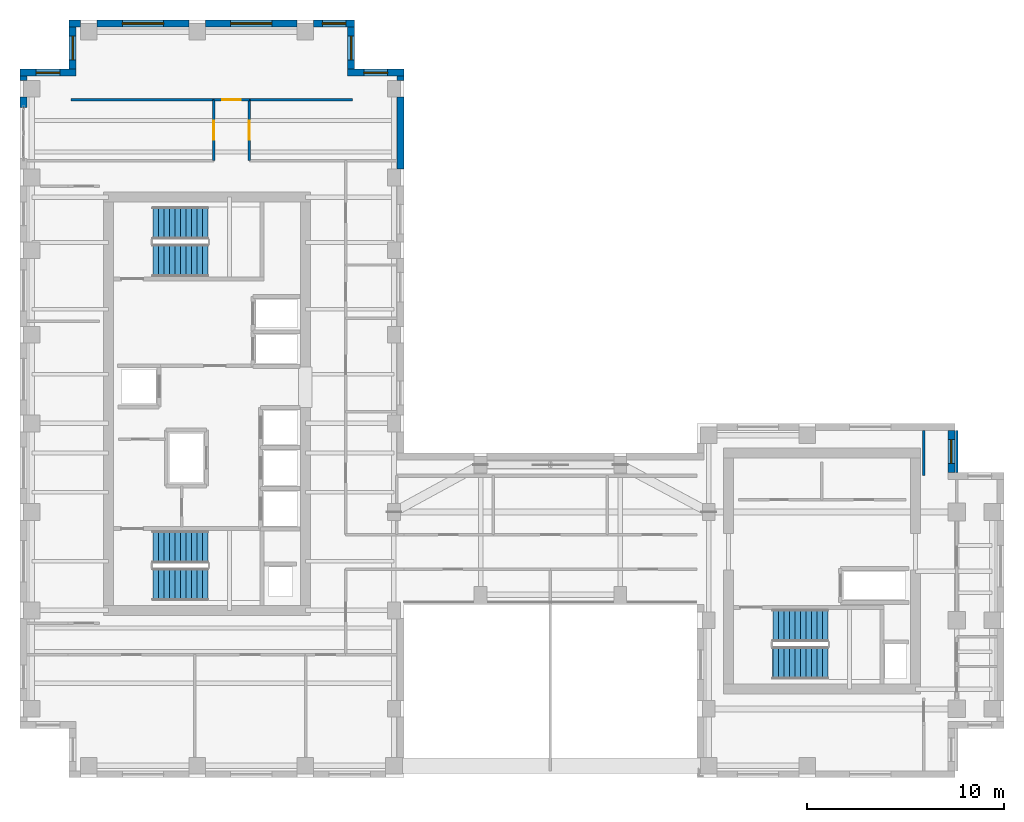
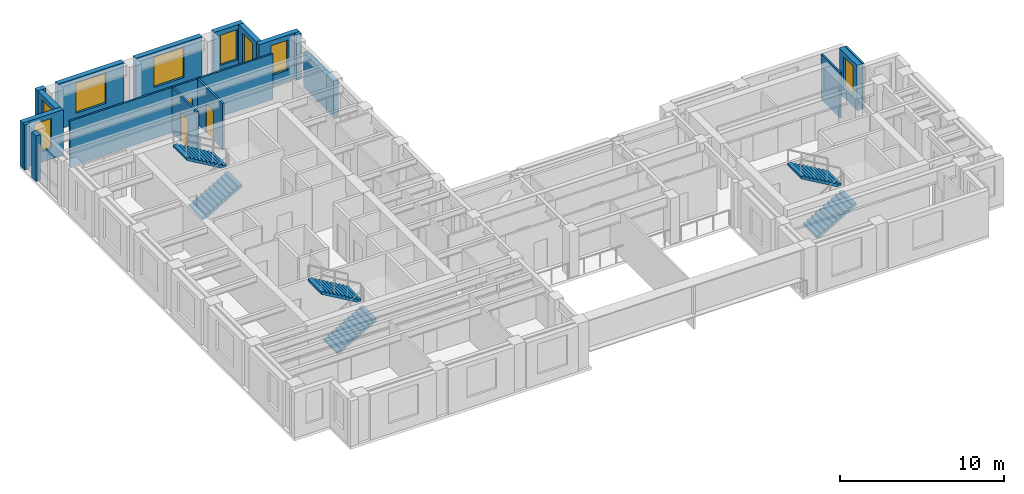
# One storey, part 10 of 12: 20 walls, 8 windows, 6 stair flights, 3 doors, 11 openings, 3 elements without a shape of their own.
"""IFC4 building model written with IfcOpenShell, lengths in metres."""

import ifcopenshell
import ifcopenshell.guid

model = None  # the IFC model being written
_history = None  # IfcOwnerHistory: only IFC2X3 demands one
_inside = {}  # id of a spatial element -> (the spatial element, [elements in it])
_under = {}  # id of a project, library or spatial element -> (it, [spatial elements below it])
_declared = {}  # id of a project -> (the project, [libraries it declares])
_typed = {}  # id of a type object -> (the type object, [elements of that type])
_made_of = {}  # id of a material, layer set ... -> (it, [elements and type objects made of it])


def new_model(schema):
    """Start an empty IFC model of exactly this schema.

    Asked for "IFC4X3", IfcOpenShell would pick the latest addendum, in which some entities
    have other attributes; the version numbers below select the first issue.
    IFC2X3 requires an IfcOwnerHistory on every rooted entity: one is made here for all.
    """
    global model, _history
    if schema == "IFC4X3":
        model = ifcopenshell.file(schema_version=(4, 3, 0, 0))
    else:
        model = ifcopenshell.file(schema=schema)
    _inside.clear()
    _under.clear()
    _declared.clear()
    _typed.clear()
    _made_of.clear()
    _history = None
    if model.schema == "IFC2X3":
        org = make("IfcOrganization", Name="unknown")
        user = make(
            "IfcPersonAndOrganization",
            ThePerson=make("IfcPerson", FamilyName="unknown"),
            TheOrganization=org,
        )
        app = make(
            "IfcApplication",
            ApplicationDeveloper=org,
            Version="unknown",
            ApplicationFullName="unknown",
            ApplicationIdentifier="unknown",
        )
        _history = make(
            "IfcOwnerHistory",
            OwningUser=user,
            OwningApplication=app,
            ChangeAction="ADDED",
            CreationDate=0,
        )
    return model


def make(cls, **values):
    """One entity of the class cls with the attributes given. An attribute that is None is left unset."""
    return model.create_entity(
        cls, **{name: value for name, value in values.items() if value is not None}
    )


def rooted(cls, **values):
    """An entity with a GlobalId (a new one), such as an element, a storey or a relation."""
    return make(cls, GlobalId=ifcopenshell.guid.new(), OwnerHistory=_history, **values)


def si_unit(unit_type, name, prefix=None):
    """IfcSIUnit, for example si_unit("LENGTHUNIT", "METRE", prefix="MILLI")."""
    return make("IfcSIUnit", UnitType=unit_type, Prefix=prefix, Name=name)


def assignment(units):
    """IfcUnitAssignment: the units of a project."""
    return None if units is None else make("IfcUnitAssignment", Units=units)


def point(xyz):
    """IfcCartesianPoint."""
    return None if xyz is None else make("IfcCartesianPoint", Coordinates=xyz)


def direction(xyz):
    """IfcDirection."""
    return None if xyz is None else make("IfcDirection", DirectionRatios=xyz)


def frame(location, z_axis=None, x_axis=None):
    """IfcAxis2Placement3D, a coordinate frame: its origin and axes. An axis left out is left unset."""
    return make(
        "IfcAxis2Placement3D",
        Location=point(location),
        Axis=direction(z_axis),
        RefDirection=direction(x_axis),
    )


def frame_2d(location, x_axis=None):
    """IfcAxis2Placement2D, a coordinate frame in the plane: its origin and x axis."""
    return make(
        "IfcAxis2Placement2D", Location=point(location), RefDirection=direction(x_axis)
    )


def origin():
    """The frame at (0, 0, 0) with its axes left unset."""
    return frame((0.0, 0.0, 0.0))


def place(relative_to, where):
    """IfcLocalPlacement: puts the frame where relative to a parent placement (None: the world)."""
    return make(
        "IfcLocalPlacement", PlacementRelTo=relative_to, RelativePlacement=where
    )


def context(
    kind, dimensions, precision=None, world=None, true_north=None, identifier=None
):
    """IfcGeometricRepresentationContext, for example the 3D "Model" context."""
    return make(
        "IfcGeometricRepresentationContext",
        ContextIdentifier=identifier,
        ContextType=kind,
        CoordinateSpaceDimension=dimensions,
        Precision=precision,
        WorldCoordinateSystem=world,
        TrueNorth=true_north,
    )


def subcontext(parent, identifier, kind, view, scale=None):
    """IfcGeometricRepresentationSubContext, for example "Body" below "Model"."""
    return make(
        "IfcGeometricRepresentationSubContext",
        ContextIdentifier=identifier,
        ContextType=kind,
        ParentContext=parent,
        TargetScale=scale,
        TargetView=view,
    )


def project(units=None, contexts=None):
    """IfcProject with its units and contexts."""
    return rooted(
        "IfcProject",
        Name="project",
        RepresentationContexts=contexts,
        UnitsInContext=assignment(units),
    )


def spatial(cls, under=None, at=None, **own):
    """A site, building, storey or space (cls), placed at a placement, below another one or the project."""
    s = rooted(cls, ObjectPlacement=at, **own)
    if under is not None:
        _under.setdefault(under.id(), (under, []))[1].append(s)
    return s


def polyline(points):
    """IfcPolyline through the points."""
    return make("IfcPolyline", Points=[point(p) for p in points])


def profile(cls, at=None, kind="AREA", **sizes):
    """A parametric profile (cls). Its sizes go by their IFC names, for example OverallWidth=200.0."""
    return make(cls, ProfileType=kind, Position=at, **sizes)


def rectangle(**sizes):
    """IfcRectangleProfileDef."""
    return profile("IfcRectangleProfileDef", **sizes)


def outline(outer, holes=None, kind="AREA"):
    """IfcArbitraryClosedProfileDef: a profile drawn as a closed curve; with holes, ...WithVoids."""
    if holes is None:
        return make("IfcArbitraryClosedProfileDef", ProfileType=kind, OuterCurve=outer)
    return make(
        "IfcArbitraryProfileDefWithVoids",
        ProfileType=kind,
        OuterCurve=outer,
        InnerCurves=holes,
    )


def extrude(swept, where, along, depth):
    """IfcExtrudedAreaSolid: the profile swept, set in the frame where, extruded along a direction by depth."""
    return make(
        "IfcExtrudedAreaSolid",
        SweptArea=swept,
        Position=where,
        ExtrudedDirection=direction(along),
        Depth=depth,
    )


def shape(context_of_items, identifier, shape_type, items):
    """IfcShapeRepresentation: the items that make up one representation, for example the "Body"."""
    return make(
        "IfcShapeRepresentation",
        ContextOfItems=context_of_items,
        RepresentationIdentifier=identifier,
        RepresentationType=shape_type,
        Items=items,
    )


def source(mapping_origin, context_of_items, identifier, shape_type, items):
    """IfcRepresentationMap: a shape defined once, which mapped items show again and again."""
    return make(
        "IfcRepresentationMap",
        MappingOrigin=mapping_origin,
        MappedRepresentation=shape(context_of_items, identifier, shape_type, items),
    )


def transform(
    local_origin,
    x_axis=None,
    y_axis=None,
    z_axis=None,
    scale=None,
    scale2=None,
    scale3=None,
    uniform=True,
):
    """IfcCartesianTransformationOperator3D, or its non-uniform kind. x_axis, y_axis, z_axis: its Axis1, 2, 3."""
    if uniform:
        return make(
            "IfcCartesianTransformationOperator3D",
            Axis1=direction(x_axis),
            Axis2=direction(y_axis),
            LocalOrigin=point(local_origin),
            Scale=scale,
            Axis3=direction(z_axis),
        )
    return make(
        "IfcCartesianTransformationOperator3DnonUniform",
        Axis1=direction(x_axis),
        Axis2=direction(y_axis),
        LocalOrigin=point(local_origin),
        Scale=scale,
        Axis3=direction(z_axis),
        Scale2=scale2,
        Scale3=scale3,
    )


def mapped(mapping_source, mapping_target):
    """IfcMappedItem: shows the shape of a source again, moved by a transform."""
    return make(
        "IfcMappedItem", MappingSource=mapping_source, MappingTarget=mapping_target
    )


def material(Name=None, Category=None):
    """IfcMaterial."""
    return make("IfcMaterial", Name=Name, Category=Category)


def layer(
    of_material, thickness, ventilated=None, Name=None, Category=None, Priority=None
):
    """IfcMaterialLayer: one layer of a wall or slab, of a material (None: an air gap)."""
    return make(
        "IfcMaterialLayer",
        Material=of_material,
        LayerThickness=thickness,
        IsVentilated=ventilated,
        Name=Name,
        Category=Category,
        Priority=Priority,
    )


def layer_set(layers, Name=None):
    """IfcMaterialLayerSet."""
    return make("IfcMaterialLayerSet", MaterialLayers=layers, LayerSetName=Name)


def made_of(thing, what):
    """Note that an element or type object is made of a material, layer set ...; save() writes the relation."""
    if what is not None:
        _made_of.setdefault(what.id(), (what, []))[1].append(thing)
    return thing


def type_object(cls, material=None, **own):
    """A type object (cls), such as IfcWallType, which elements share."""
    return made_of(rooted(cls, **own), material)


def element(
    cls,
    number,
    at=None,
    inside=None,
    cuts=None,
    type_object=None,
    material=None,
    context=None,
    identifier="Body",
    shape_type=None,
    held_by="IfcProductDefinitionShape",
    body=None,
    shapes=None,
    **own,
):
    """One element of the class cls, such as IfcWall. Its Tag is "e" and its number.

    at: its placement. inside: the storey or other place that contains it. cuts: it is an
    opening in that element (IfcRelVoidsElement). A single representation is given by context,
    identifier, shape_type and body (its items); several are given by shapes. held_by: the class
    of the entity that holds the representations. save() writes the other relations.
    """
    e = rooted(cls, Tag="e%d" % number, ObjectPlacement=at, **own)
    if body is not None:
        shapes = [shape(context, identifier, shape_type, body)]
    if shapes is not None:
        e.Representation = make(held_by, Representations=shapes)
    if inside is not None:
        _inside.setdefault(inside.id(), (inside, []))[1].append(e)
    if cuts is not None:
        rooted(
            "IfcRelVoidsElement", RelatingBuildingElement=cuts, RelatedOpeningElement=e
        )
    if type_object is not None:
        _typed.setdefault(type_object.id(), (type_object, []))[1].append(e)
    return made_of(e, material)


def fill(opening, filler):
    """IfcRelFillsElement: the door or window that sits in an opening."""
    return rooted(
        "IfcRelFillsElement",
        RelatingOpeningElement=opening,
        RelatedBuildingElement=filler,
    )


def aggregate(whole, parts):
    """IfcRelAggregates: a whole, such as a stair, and the parts it consists of."""
    return rooted("IfcRelAggregates", RelatingObject=whole, RelatedObjects=parts)


def save(model, path):
    """Write the relations noted so far, then the file.

    IfcRelAggregates (storeys below a building ...), IfcRelContainedInSpatialStructure (elements
    in a storey), IfcRelDefinesByType, IfcRelAssociatesMaterial and IfcRelDeclares: one each for
    every whole, place, type object, material and project.
    """
    for whole, parts in _under.values():
        aggregate(whole, parts)
    for where, things in _inside.values():
        rooted(
            "IfcRelContainedInSpatialStructure",
            RelatedElements=things,
            RelatingStructure=where,
        )
    for kind, things in _typed.values():
        rooted("IfcRelDefinesByType", RelatedObjects=things, RelatingType=kind)
    for what, things in _made_of.values():
        rooted("IfcRelAssociatesMaterial", RelatedObjects=things, RelatingMaterial=what)
    for by, libraries in _declared.values():
        rooted("IfcRelDeclares", RelatingContext=by, RelatedDefinitions=libraries)
    model.write(path)


model = new_model("IFC4")

# Units and contexts
model_context = context("Model", 3, precision=1e-05, world=origin(), true_north=direction((0.0, 1.0)))
body_context = subcontext(model_context, "Body", "Model", "MODEL_VIEW")
ifc_project = project(units=[si_unit("LENGTHUNIT", "METRE"), si_unit("AREAUNIT", "SQUARE_METRE"), si_unit("VOLUMEUNIT", "CUBIC_METRE"), si_unit("PLANEANGLEUNIT", "RADIAN"), si_unit("MASSUNIT", "GRAM", prefix="KILO")], contexts=[model_context])

# Site, building, storey
site_placement = place(None, origin())
site = spatial("IfcSite", under=ifc_project, at=site_placement, CompositionType="ELEMENT")
building_placement = place(site_placement, origin())
building = spatial("IfcBuilding", under=site, at=building_placement, Name="Kharzan Plaza Tower", CompositionType="ELEMENT")
storey_placement = place(building_placement, frame((0.0, 0.0, 248.39990234375)))
storey = spatial("IfcBuildingStorey", under=building, at=storey_placement, Name="L67", CompositionType="ELEMENT", Elevation=248.39990234375)

# Wall, opening, window
ifc_material_1 = material(Name="Concrete C40/50", Category="concrete")
ifc_layer_1 = layer(ifc_material_1, 0.35009765625)
ifc_layer_set_1 = layer_set([ifc_layer_1], Name="Concrete C40/50")
wall_type_1 = type_object("IfcWallType", Name="WL-EXT-MAS-Z4", PredefinedType="SOLIDWALL", material=ifc_layer_set_1)
wall_1_placement = place(storey_placement, frame((19.5, 35.824951171875, 0.0), z_axis=(0.0, 0.0, 1.0), x_axis=(-1.0, 0.0, 0.0)))
wall_1 = element("IfcWall", 1, at=wall_1_placement, inside=storey, type_object=wall_type_1, Name="L67 Masonry-Frame Exterior Wall 07", PredefinedType="SOLIDWALL", context=body_context, shape_type="SweptSolid", body=[
    extrude(rectangle(XDim=2.85009765625, YDim=0.35009765625, at=frame_2d((1.425048828125, 0.0))), origin(), (0.0, 0.0, 1.0), 3.385009765625),
])
opening_1_placement = place(wall_1_placement, frame((0.824951171875, 0.0, 0.780029296875)))
opening_1 = element("IfcOpeningElement", 2, at=opening_1_placement, cuts=wall_1, Name="Opening W3", PredefinedType="OPENING", context=body_context, shape_type="SweptSolid", body=[
    extrude(rectangle(XDim=1.199951171875, YDim=2.25, at=frame_2d((0.60009765625, 1.125))), frame((0.0, 0.18505859375, 0.0), z_axis=(0.0, -1.0, 0.0), x_axis=(1.0, 0.0, 0.0)), (0.0, 0.0, 1.0), 0.3701171875),
])
ifc_material_2 = material(Name="Low-E Double Glazing", Category="glass")
window_type_1 = type_object("IfcWindowType", Name="WN-REC-1200x2100", PartitioningType="SINGLE_PANEL", PredefinedType="WINDOW", material=ifc_material_2)
shared_shape_1 = source(origin(), body_context, "Body", "SweptSolid", [
    extrude(rectangle(XDim=1.199951171875, YDim=2.25, at=frame_2d((0.60009765625, 1.125))), frame((0.0, 0.030029296875, 0.0), z_axis=(0.0, -1.0, 0.0), x_axis=(1.0, 0.0, 0.0)), (0.0, 0.0, 1.0), 0.06005859375),
])
window_1_placement = place(opening_1_placement, origin())
window_1 = element("IfcWindow", 3, at=window_1_placement, inside=storey, type_object=window_type_1, Name="L67 Recessed Solar-Control Window 07-1", OverallHeight=2.25, OverallWidth=1.199951171875, PartitioningType="SINGLE_PANEL", PredefinedType="WINDOW", context=body_context, shape_type="MappedRepresentation", body=[
    mapped(shared_shape_1, transform((0.0, 0.0, 0.0), x_axis=(1.0, 0.0, 0.0), y_axis=(0.0, 1.0, 0.0), z_axis=(0.0, 0.0, 1.0))),
])
fill(opening_1, window_1)

wall_2_placement = place(storey_placement, frame((16.824951171875, 35.998046875, 0.0), z_axis=(0.0, 0.0, 1.0), x_axis=(0.0, 1.0, 0.0)))
wall_2 = element("IfcWall", 4, at=wall_2_placement, inside=storey, type_object=wall_type_1, Name="L67 Masonry-Frame Exterior Wall 08", PredefinedType="SOLIDWALL", context=body_context, shape_type="SweptSolid", body=[
    extrude(rectangle(XDim=2.154052734375, YDim=0.35009765625, at=frame_2d((1.0771484375, 0.0))), origin(), (0.0, 0.0, 1.0), 3.385009765625),
])
opening_2_placement = place(wall_2_placement, frame((0.47705078125, 0.0, 0.780029296875)))
opening_2 = element("IfcOpeningElement", 5, at=opening_2_placement, cuts=wall_2, Name="Opening W3", PredefinedType="OPENING", context=body_context, shape_type="SweptSolid", body=[
    extrude(rectangle(XDim=1.199951171875, YDim=2.25, at=frame_2d((0.60009765625, 1.125))), frame((0.0, 0.18505859375, 0.0), z_axis=(0.0, -1.0, 0.0), x_axis=(1.0, 0.0, 0.0)), (0.0, 0.0, 1.0), 0.3701171875),
])
window_2_placement = place(opening_2_placement, origin())
window_2 = element("IfcWindow", 6, at=window_2_placement, inside=storey, type_object=window_type_1, Name="L67 Recessed Solar-Control Window 08-1", OverallHeight=2.25, OverallWidth=1.199951171875, PartitioningType="SINGLE_PANEL", PredefinedType="WINDOW", context=body_context, shape_type="MappedRepresentation", body=[
    mapped(shared_shape_1, transform((0.0, 0.0, 0.0), x_axis=(1.0, 0.0, 0.0), y_axis=(0.0, 1.0, 0.0), z_axis=(0.0, 0.0, 1.0))),
])
fill(opening_2, window_2)

wall_3_placement = place(storey_placement, frame((17.0, 38.324951171875, 0.0), z_axis=(0.0, 0.0, 1.0), x_axis=(-1.0, 0.0, 0.0)))
wall_3 = element("IfcWall", 7, at=wall_3_placement, inside=storey, type_object=wall_type_1, Name="L67 Masonry-Frame Exterior Wall 09", PredefinedType="SOLIDWALL", context=body_context, shape_type="SweptSolid", body=[
    extrude(rectangle(XDim=2.076904296875, YDim=0.35009765625, at=frame_2d((1.03857421875, 0.0))), origin(), (0.0, 0.0, 1.0), 3.385009765625),
])
opening_3_placement = place(wall_3_placement, frame((0.4384765625, 0.0, 0.780029296875)))
opening_3 = element("IfcOpeningElement", 8, at=opening_3_placement, cuts=wall_3, Name="Opening W3", PredefinedType="OPENING", context=body_context, shape_type="SweptSolid", body=[
    extrude(rectangle(XDim=1.199951171875, YDim=2.25, at=frame_2d((0.60009765625, 1.125))), frame((0.0, 0.18505859375, 0.0), z_axis=(0.0, -1.0, 0.0), x_axis=(1.0, 0.0, 0.0)), (0.0, 0.0, 1.0), 0.3701171875),
])
window_3_placement = place(opening_3_placement, origin())
window_3 = element("IfcWindow", 9, at=window_3_placement, inside=storey, type_object=window_type_1, Name="L67 Recessed Solar-Control Window 09-1", OverallHeight=2.25, OverallWidth=1.199951171875, PartitioningType="SINGLE_PANEL", PredefinedType="WINDOW", context=body_context, shape_type="MappedRepresentation", body=[
    mapped(shared_shape_1, transform((0.0, 0.0, 0.0), x_axis=(1.0, 0.0, 0.0), y_axis=(0.0, 1.0, 0.0), z_axis=(0.0, 0.0, 1.0))),
])
fill(opening_3, window_3)

wall_4_placement = place(storey_placement, frame((14.076904296875, 38.324951171875, 0.0), z_axis=(0.0, 0.0, 1.0), x_axis=(-1.0, 0.0, 0.0)))
wall_4 = element("IfcWall", 10, at=wall_4_placement, inside=storey, type_object=wall_type_1, Name="L67 Masonry-Frame Exterior Wall 10", PredefinedType="SOLIDWALL", context=body_context, shape_type="SweptSolid", body=[
    extrude(rectangle(XDim=4.65380859375, YDim=0.35009765625, at=frame_2d((2.326904296875, 0.0))), origin(), (0.0, 0.0, 1.0), 3.385009765625),
])
opening_4_placement = place(wall_4_placement, frame((1.277099609375, 0.0, 0.780029296875)))
opening_4 = element("IfcOpeningElement", 11, at=opening_4_placement, cuts=wall_4, Name="Opening W6", PredefinedType="OPENING", context=body_context, shape_type="SweptSolid", body=[
    extrude(rectangle(XDim=2.10009765625, YDim=2.25, at=frame_2d((1.050048828125, 1.125))), frame((0.0, 0.18505859375, 0.0), z_axis=(0.0, -1.0, 0.0), x_axis=(1.0, 0.0, 0.0)), (0.0, 0.0, 1.0), 0.3701171875),
])
window_type_2 = type_object("IfcWindowType", Name="WN-EXEC-2100x2250", PartitioningType="SINGLE_PANEL", PredefinedType="WINDOW", material=ifc_material_2)
shared_shape_2 = source(origin(), body_context, "Body", "SweptSolid", [
    extrude(rectangle(XDim=2.10009765625, YDim=2.25, at=frame_2d((1.050048828125, 1.125))), frame((0.0, 0.030029296875, 0.0), z_axis=(0.0, -1.0, 0.0), x_axis=(1.0, 0.0, 0.0)), (0.0, 0.0, 1.0), 0.06005859375),
])
window_4_placement = place(opening_4_placement, origin())
window_4 = element("IfcWindow", 12, at=window_4_placement, inside=storey, type_object=window_type_2, Name="L67 Recessed Solar-Control Window 10-1", OverallHeight=2.25, OverallWidth=2.10009765625, PartitioningType="SINGLE_PANEL", PredefinedType="WINDOW", context=body_context, shape_type="MappedRepresentation", body=[
    mapped(shared_shape_2, transform((0.0, 0.0, 0.0), x_axis=(1.0, 0.0, 0.0), y_axis=(0.0, 1.0, 0.0), z_axis=(0.0, 0.0, 1.0))),
])
fill(opening_4, window_4)

wall_5_placement = place(storey_placement, frame((8.576904296875, 38.324951171875, 0.0), z_axis=(0.0, 0.0, 1.0), x_axis=(-1.0, 0.0, 0.0)))
wall_5 = element("IfcWall", 13, at=wall_5_placement, inside=storey, type_object=wall_type_1, Name="L67 Masonry-Frame Exterior Wall 11", PredefinedType="SOLIDWALL", context=body_context, shape_type="SweptSolid", body=[
    extrude(rectangle(XDim=4.65380859375, YDim=0.35009765625, at=frame_2d((2.326904296875, 0.0))), origin(), (0.0, 0.0, 1.0), 3.385009765625),
])
opening_5_placement = place(wall_5_placement, frame((1.277099609375, 0.0, 0.780029296875)))
opening_5 = element("IfcOpeningElement", 14, at=opening_5_placement, cuts=wall_5, Name="Opening W6", PredefinedType="OPENING", context=body_context, shape_type="SweptSolid", body=[
    extrude(rectangle(XDim=2.10009765625, YDim=2.25, at=frame_2d((1.050048828125, 1.125))), frame((0.0, 0.18505859375, 0.0), z_axis=(0.0, -1.0, 0.0), x_axis=(1.0, 0.0, 0.0)), (0.0, 0.0, 1.0), 0.3701171875),
])
window_5_placement = place(opening_5_placement, origin())
window_5 = element("IfcWindow", 15, at=window_5_placement, inside=storey, type_object=window_type_2, Name="L67 Recessed Solar-Control Window 11-1", OverallHeight=2.25, OverallWidth=2.10009765625, PartitioningType="SINGLE_PANEL", PredefinedType="WINDOW", context=body_context, shape_type="MappedRepresentation", body=[
    mapped(shared_shape_2, transform((0.0, 0.0, 0.0), x_axis=(1.0, 0.0, 0.0), y_axis=(0.0, 1.0, 0.0), z_axis=(0.0, 0.0, 1.0))),
])
fill(opening_5, window_5)

wall_6_placement = place(storey_placement, frame((2.675048828125, 38.152099609375, 0.0), z_axis=(0.0, 0.0, 1.0), x_axis=(0.0, -1.0, 0.0)))
wall_6 = element("IfcWall", 16, at=wall_6_placement, inside=storey, type_object=wall_type_1, Name="L67 Masonry-Frame Exterior Wall 13", PredefinedType="SOLIDWALL", context=body_context, shape_type="SweptSolid", body=[
    extrude(rectangle(XDim=2.154052734375, YDim=0.35009765625, at=frame_2d((1.0771484375, 0.0))), origin(), (0.0, 0.0, 1.0), 3.385009765625),
])
opening_6_placement = place(wall_6_placement, frame((0.47705078125, 0.0, 0.780029296875)))
opening_6 = element("IfcOpeningElement", 17, at=opening_6_placement, cuts=wall_6, Name="Opening W3", PredefinedType="OPENING", context=body_context, shape_type="SweptSolid", body=[
    extrude(rectangle(XDim=1.199951171875, YDim=2.25, at=frame_2d((0.60009765625, 1.125))), frame((0.0, 0.18505859375, 0.0), z_axis=(0.0, -1.0, 0.0), x_axis=(1.0, 0.0, 0.0)), (0.0, 0.0, 1.0), 0.3701171875),
])
window_6_placement = place(opening_6_placement, origin())
window_6 = element("IfcWindow", 18, at=window_6_placement, inside=storey, type_object=window_type_1, Name="L67 Recessed Solar-Control Window 13-1", OverallHeight=2.25, OverallWidth=1.199951171875, PartitioningType="SINGLE_PANEL", PredefinedType="WINDOW", context=body_context, shape_type="MappedRepresentation", body=[
    mapped(shared_shape_1, transform((0.0, 0.0, 0.0), x_axis=(1.0, 0.0, 0.0), y_axis=(0.0, 1.0, 0.0), z_axis=(0.0, 0.0, 1.0))),
])
fill(opening_6, window_6)

wall_7_placement = place(storey_placement, frame((2.85009765625, 35.824951171875, 0.0), z_axis=(0.0, 0.0, 1.0), x_axis=(-1.0, 0.0, 0.0)))
wall_7 = element("IfcWall", 19, at=wall_7_placement, inside=storey, type_object=wall_type_1, Name="L67 Masonry-Frame Exterior Wall 14", PredefinedType="SOLIDWALL", context=body_context, shape_type="SweptSolid", body=[
    extrude(rectangle(XDim=2.85009765625, YDim=0.35009765625, at=frame_2d((1.425048828125, 0.0))), origin(), (0.0, 0.0, 1.0), 3.385009765625),
])
opening_7_placement = place(wall_7_placement, frame((0.824951171875, 0.0, 0.780029296875)))
opening_7 = element("IfcOpeningElement", 20, at=opening_7_placement, cuts=wall_7, Name="Opening W3", PredefinedType="OPENING", context=body_context, shape_type="SweptSolid", body=[
    extrude(rectangle(XDim=1.199951171875, YDim=2.25, at=frame_2d((0.60009765625, 1.125))), frame((0.0, 0.18505859375, 0.0), z_axis=(0.0, -1.0, 0.0), x_axis=(1.0, 0.0, 0.0)), (0.0, 0.0, 1.0), 0.3701171875),
])
window_7_placement = place(opening_7_placement, origin())
window_7 = element("IfcWindow", 21, at=window_7_placement, inside=storey, type_object=window_type_1, Name="L67 Recessed Solar-Control Window 14-1", OverallHeight=2.25, OverallWidth=1.199951171875, PartitioningType="SINGLE_PANEL", PredefinedType="WINDOW", context=body_context, shape_type="MappedRepresentation", body=[
    mapped(shared_shape_1, transform((0.0, 0.0, 0.0), x_axis=(1.0, 0.0, 0.0), y_axis=(0.0, 1.0, 0.0), z_axis=(0.0, 0.0, 1.0))),
])
fill(opening_7, window_7)

wall_8_placement = place(storey_placement, frame((47.324951171875, 15.498046875, 0.0), z_axis=(0.0, 0.0, 1.0), x_axis=(0.0, 1.0, 0.0)))
wall_8 = element("IfcWall", 22, at=wall_8_placement, inside=storey, type_object=wall_type_1, Name="L67 Masonry-Frame Exterior Wall 45", PredefinedType="SOLIDWALL", context=body_context, shape_type="SweptSolid", body=[
    extrude(rectangle(XDim=2.154052734375, YDim=0.35009765625, at=frame_2d((1.0771484375, 0.0))), origin(), (0.0, 0.0, 1.0), 3.385009765625),
])
opening_8_placement = place(wall_8_placement, frame((0.47705078125, 0.0, 0.780029296875)))
opening_8 = element("IfcOpeningElement", 23, at=opening_8_placement, cuts=wall_8, Name="Opening W3", PredefinedType="OPENING", context=body_context, shape_type="SweptSolid", body=[
    extrude(rectangle(XDim=1.199951171875, YDim=2.25, at=frame_2d((0.60009765625, 1.125))), frame((0.0, 0.18505859375, 0.0), z_axis=(0.0, -1.0, 0.0), x_axis=(1.0, 0.0, 0.0)), (0.0, 0.0, 1.0), 0.3701171875),
])
window_8_placement = place(opening_8_placement, origin())
window_8 = element("IfcWindow", 24, at=window_8_placement, inside=storey, type_object=window_type_1, Name="L67 Recessed Solar-Control Window 45-1", OverallHeight=2.25, OverallWidth=1.199951171875, PartitioningType="SINGLE_PANEL", PredefinedType="WINDOW", context=body_context, shape_type="MappedRepresentation", body=[
    mapped(shared_shape_1, transform((0.0, 0.0, 0.0), x_axis=(1.0, 0.0, 0.0), y_axis=(0.0, 1.0, 0.0), z_axis=(0.0, 0.0, 1.0))),
])
fill(opening_8, window_8)

# Wall, opening, door
ifc_material_3 = material(Name="Fire-Rated Gypsum Board Partition", Category="gypsum")
ifc_layer_2 = layer(ifc_material_3, 0.125)
ifc_layer_set_2 = layer_set([ifc_layer_2], Name="Fire-Rated Gypsum Board Partition")
wall_type_2 = type_object("IfcWallType", Name="WL-INT-PART-125", PredefinedType="PARTITIONING", material=ifc_layer_set_2)
wall_9_placement = place(storey_placement, frame((11.64990234375, 31.35009765625, 0.0), z_axis=(0.0, 0.0, 1.0), x_axis=(0.0, 1.0, 0.0)))
wall_9 = element("IfcWall", 25, at=wall_9_placement, inside=storey, type_object=wall_type_2, Name="L67 Interior Partition SH-SPE-1", PredefinedType="PARTITIONING", context=body_context, shape_type="SweptSolid", body=[
    extrude(rectangle(XDim=3.099853515625, YDim=0.125, at=frame_2d((1.5498046875, 0.0))), origin(), (0.0, 0.0, 1.0), 3.385009765625),
])
opening_9_placement = place(wall_9_placement, frame((1.074951171875, 0.0, 0.0)))
opening_9 = element("IfcOpeningElement", 26, at=opening_9_placement, cuts=wall_9, Name="Opening OD1", PredefinedType="OPENING", context=body_context, shape_type="SweptSolid", body=[
    extrude(rectangle(XDim=0.949951171875, YDim=2.14990234375, at=frame_2d((0.47509765625, 1.074951171875))), frame((0.0, 0.072509765625, 0.0), z_axis=(0.0, -1.0, 0.0), x_axis=(1.0, 0.0, 0.0)), (0.0, 0.0, 1.0), 0.14501953125),
])
ifc_material_4 = material(Name="Acoustic Solid-Core Stained Oak", Category="timber")
door_type = type_object("IfcDoorType", Name="DR-OFF-SINGLE", OperationType="NOTDEFINED", PredefinedType="DOOR", material=ifc_material_4)
shared_shape_3 = source(origin(), body_context, "Body", "SweptSolid", [
    extrude(rectangle(XDim=0.949951171875, YDim=2.14990234375, at=frame_2d((0.47509765625, 1.074951171875))), frame((0.0, 0.02490234375, 0.0), z_axis=(0.0, -1.0, 0.0), x_axis=(1.0, 0.0, 0.0)), (0.0, 0.0, 1.0), 0.050048828125),
])
door_1_placement = place(opening_9_placement, origin())
door_1 = element("IfcDoor", 27, at=door_1_placement, inside=storey, type_object=door_type, Name="L67 Occupational Health Treatment Room Door", OperationType="SINGLE_SWING_RIGHT", OverallHeight=2.14990234375, OverallWidth=0.949951171875, PredefinedType="DOOR", context=body_context, shape_type="MappedRepresentation", body=[
    mapped(shared_shape_3, transform((0.0, 0.0, 0.0), x_axis=(1.0, 0.0, 0.0), y_axis=(0.0, 1.0, 0.0), z_axis=(0.0, 0.0, 1.0))),
])
fill(opening_9, door_1)

wall_10_placement = place(storey_placement, frame((9.85009765625, 34.449951171875, 0.0), z_axis=(0.0, 0.0, 1.0), x_axis=(1.0, 0.0, 0.0)))
wall_10 = element("IfcWall", 28, at=wall_10_placement, inside=storey, type_object=wall_type_2, Name="L67 Interior Partition SH-SPHD", PredefinedType="PARTITIONING", context=body_context, shape_type="SweptSolid", body=[
    extrude(rectangle(XDim=1.7998046875, YDim=0.125, at=frame_2d((0.89990234375, 0.0))), origin(), (0.0, 0.0, 1.0), 3.385009765625),
])
opening_10_placement = place(wall_10_placement, frame((0.425048828125, 0.0, 0.0)))
opening_10 = element("IfcOpeningElement", 29, at=opening_10_placement, cuts=wall_10, Name="Opening OD1", PredefinedType="OPENING", context=body_context, shape_type="SweptSolid", body=[
    extrude(rectangle(XDim=0.949951171875, YDim=2.14990234375, at=frame_2d((0.47509765625, 1.074951171875))), frame((0.0, 0.072509765625, 0.0), z_axis=(0.0, -1.0, 0.0), x_axis=(1.0, 0.0, 0.0)), (0.0, 0.0, 1.0), 0.14501953125),
])
door_2_placement = place(opening_10_placement, origin())
door_2 = element("IfcDoor", 30, at=door_2_placement, inside=storey, type_object=door_type, Name="L67 North Boardroom Door", OperationType="SINGLE_SWING_LEFT", OverallHeight=2.14990234375, OverallWidth=0.949951171875, PredefinedType="DOOR", context=body_context, shape_type="MappedRepresentation", body=[
    mapped(shared_shape_3, transform((0.0, 0.0, 0.0), x_axis=(1.0, 0.0, 0.0), y_axis=(0.0, 1.0, 0.0), z_axis=(0.0, 0.0, 1.0))),
])
fill(opening_10, door_2)

wall_11_placement = place(storey_placement, frame((9.85009765625, 31.35009765625, 0.0), z_axis=(0.0, 0.0, 1.0), x_axis=(0.0, 1.0, 0.0)))
wall_11 = element("IfcWall", 31, at=wall_11_placement, inside=storey, type_object=wall_type_2, Name="L67 Interior Partition SH-SPW-1", PredefinedType="PARTITIONING", context=body_context, shape_type="SweptSolid", body=[
    extrude(rectangle(XDim=3.099853515625, YDim=0.125, at=frame_2d((1.5498046875, 0.0))), origin(), (0.0, 0.0, 1.0), 3.385009765625),
])
opening_11_placement = place(wall_11_placement, frame((1.074951171875, 0.0, 0.0)))
opening_11 = element("IfcOpeningElement", 32, at=opening_11_placement, cuts=wall_11, Name="Opening OD1", PredefinedType="OPENING", context=body_context, shape_type="SweptSolid", body=[
    extrude(rectangle(XDim=0.949951171875, YDim=2.14990234375, at=frame_2d((0.47509765625, 1.074951171875))), frame((0.0, 0.072509765625, 0.0), z_axis=(0.0, -1.0, 0.0), x_axis=(1.0, 0.0, 0.0)), (0.0, 0.0, 1.0), 0.14501953125),
])
door_3_placement = place(opening_11_placement, origin())
door_3 = element("IfcDoor", 33, at=door_3_placement, inside=storey, type_object=door_type, Name="L67 Staff Refreshment Pantry Door", OperationType="SINGLE_SWING_LEFT", OverallHeight=2.14990234375, OverallWidth=0.949951171875, PredefinedType="DOOR", context=body_context, shape_type="MappedRepresentation", body=[
    mapped(shared_shape_3, transform((0.0, 0.0, 0.0), x_axis=(1.0, 0.0, 0.0), y_axis=(0.0, 1.0, 0.0), z_axis=(0.0, 0.0, 1.0))),
])
fill(opening_11, door_3)

# Walls
shared_shape_4 = source(origin(), body_context, "Body", "SweptSolid", [
    extrude(rectangle(XDim=2.2978515625, YDim=0.125, at=frame_2d((1.14892578125, 0.0))), origin(), (0.0, 0.0, 1.0), 3.385009765625),
])
wall_12_placement = place(storey_placement, frame((45.919921875, 15.35009765625, 0.0), z_axis=(0.0, 0.0, 1.0), x_axis=(0.0, 1.0, 0.0)))
element("IfcWall", 34, at=wall_12_placement, inside=storey, type_object=wall_type_2, Name="L67 Interior Partition SH-RBNE0", PredefinedType="PARTITIONING", context=body_context, shape_type="MappedRepresentation", body=[
    mapped(shared_shape_4, transform((0.0, 0.0, 0.0), x_axis=(1.0, 0.0, 0.0), y_axis=(0.0, 1.0, 0.0), z_axis=(0.0, 0.0, 1.0))),
])
shared_shape_5 = source(origin(), body_context, "Body", "SweptSolid", [
    extrude(rectangle(XDim=0.576904296875, YDim=0.35009765625, at=frame_2d((0.28857421875, 0.0))), origin(), (0.0, 0.0, 1.0), 3.385009765625),
])
wall_13_placement = place(storey_placement, frame((3.076904296875, 38.324951171875, 0.0), z_axis=(0.0, 0.0, 1.0), x_axis=(-1.0, 0.0, 0.0)))
element("IfcWall", 35, at=wall_13_placement, inside=storey, type_object=wall_type_1, Name="L67 Masonry-Frame Exterior Wall 12", PredefinedType="SOLIDWALL", context=body_context, shape_type="MappedRepresentation", body=[
    mapped(shared_shape_5, transform((0.0, 0.0, 0.0), x_axis=(1.0, 0.0, 0.0), y_axis=(0.0, 1.0, 0.0), z_axis=(0.0, 0.0, 1.0))),
])
shared_shape_6 = source(origin(), body_context, "Body", "SweptSolid", [
    extrude(rectangle(XDim=0.22900390625, YDim=0.35009765625, at=frame_2d((0.114501953125, 0.0))), origin(), (0.0, 0.0, 1.0), 3.385009765625),
])
for number, where, z_axis, x_axis, name in (
    (36, (19.324951171875, 35.423095703125, 0.0), (0.0, 0.0, 1.0), (0.0, 1.0, 0.0), "L67 Masonry-Frame Exterior Wall 06"),
    (37, (0.175048828125, 35.652099609375, 0.0), (0.0, 0.0, 1.0), (0.0, -1.0, 0.0), "L67 Masonry-Frame Exterior Wall 15"),
):
    element("IfcWall", number, at=place(storey_placement, frame(where, z_axis=z_axis, x_axis=x_axis)), inside=storey, type_object=wall_type_1, Name=name, PredefinedType="SOLIDWALL", context=body_context, shape_type="MappedRepresentation", body=[
        mapped(shared_shape_6, transform((0.0, 0.0, 0.0), x_axis=(1.0, 0.0, 0.0), y_axis=(0.0, 1.0, 0.0), z_axis=(0.0, 0.0, 1.0))),
    ])
shared_shape_7 = source(origin(), body_context, "Body", "SweptSolid", [
    extrude(rectangle(XDim=0.52685546875, YDim=0.35009765625, at=frame_2d((0.263427734375, 0.0))), origin(), (0.0, 0.0, 1.0), 3.385009765625),
])
wall_14_placement = place(storey_placement, frame((0.175048828125, 34.576904296875, 0.0), z_axis=(0.0, 0.0, 1.0), x_axis=(0.0, -1.0, 0.0)))
element("IfcWall", 38, at=wall_14_placement, inside=storey, type_object=wall_type_1, Name="L67 Masonry-Frame Exterior Wall 16", PredefinedType="SOLIDWALL", context=body_context, shape_type="MappedRepresentation", body=[
    mapped(shared_shape_7, transform((0.0, 0.0, 0.0), x_axis=(1.0, 0.0, 0.0), y_axis=(0.0, 1.0, 0.0), z_axis=(0.0, 0.0, 1.0))),
])
shared_shape_8 = source(origin(), body_context, "Body", "SweptSolid", [
    extrude(rectangle(XDim=3.65380859375, YDim=0.35009765625, at=frame_2d((1.826904296875, 0.0))), origin(), (0.0, 0.0, 1.0), 2.619140625),
])
wall_15_placement = place(storey_placement, frame((19.324951171875, 30.923095703125, 0.0), z_axis=(0.0, 0.0, 1.0), x_axis=(0.0, 1.0, 0.0)))
element("IfcWall", 39, at=wall_15_placement, inside=storey, type_object=wall_type_1, Name="L67 Masonry-Frame Exterior Wall 05", PredefinedType="SOLIDWALL", context=body_context, shape_type="MappedRepresentation", body=[
    mapped(shared_shape_8, transform((0.0, 0.0, 0.0), x_axis=(1.0, 0.0, 0.0), y_axis=(0.0, 1.0, 0.0), z_axis=(0.0, 0.0, 1.0))),
])
shared_shape_9 = source(origin(), body_context, "Body", "SweptSolid", [
    extrude(rectangle(XDim=2.14794921875, YDim=0.125, at=frame_2d((1.073974609375, 0.0))), origin(), (0.0, 0.0, 1.0), 3.385009765625),
])
wall_16_placement = place(storey_placement, frame((47.60009765625, 15.501953125, 0.0), z_axis=(0.0, 0.0, 1.0), x_axis=(0.0, 1.0, 0.0)))
element("IfcWall", 40, at=wall_16_placement, inside=storey, type_object=wall_type_2, Name="L67 Interior Partition SH-B0W1N", PredefinedType="PARTITIONING", context=body_context, shape_type="MappedRepresentation", body=[
    mapped(shared_shape_9, transform((0.0, 0.0, 0.0), x_axis=(1.0, 0.0, 0.0), y_axis=(0.0, 1.0, 0.0), z_axis=(0.0, 0.0, 1.0))),
])
shared_shape_10 = source(origin(), body_context, "Body", "SweptSolid", [
    extrude(rectangle(XDim=5.25, YDim=0.125, at=frame_2d((2.625, 0.0))), origin(), (0.0, 0.0, 1.0), 3.385009765625),
])
wall_17_placement = place(storey_placement, frame((11.64990234375, 34.449951171875, 0.0), z_axis=(0.0, 0.0, 1.0), x_axis=(1.0, 0.0, 0.0)))
element("IfcWall", 41, at=wall_17_placement, inside=storey, type_object=wall_type_2, Name="L67 Interior Partition SH-SPHE", PredefinedType="PARTITIONING", context=body_context, shape_type="MappedRepresentation", body=[
    mapped(shared_shape_10, transform((0.0, 0.0, 0.0), x_axis=(1.0, 0.0, 0.0), y_axis=(0.0, 1.0, 0.0), z_axis=(0.0, 0.0, 1.0))),
])
shared_shape_11 = source(origin(), body_context, "Body", "SweptSolid", [
    extrude(rectangle(XDim=7.25, YDim=0.125, at=frame_2d((3.625, 0.0))), origin(), (0.0, 0.0, 1.0), 3.385009765625),
])
wall_18_placement = place(storey_placement, frame((2.60009765625, 34.449951171875, 0.0), z_axis=(0.0, 0.0, 1.0), x_axis=(1.0, 0.0, 0.0)))
element("IfcWall", 42, at=wall_18_placement, inside=storey, type_object=wall_type_2, Name="L67 Interior Partition SH-SPHW", PredefinedType="PARTITIONING", context=body_context, shape_type="MappedRepresentation", body=[
    mapped(shared_shape_11, transform((0.0, 0.0, 0.0), x_axis=(1.0, 0.0, 0.0), y_axis=(0.0, 1.0, 0.0), z_axis=(0.0, 0.0, 1.0))),
])

# Stair, stair flights
stair_type_1 = type_object("IfcStairType", Name="STR-ST-1", PredefinedType="HALF_TURN_STAIR", material=ifc_material_1)
stair_1_placement = place(storey_placement, origin())
stair_1 = element("IfcStair", 43, at=stair_1_placement, inside=storey, type_object=stair_type_1, Name="L67 Protected Exit Stair ST-1", PredefinedType="HALF_TURN_STAIR")
stair_flight_type = type_object("IfcStairFlightType", Name="SFL-1650-R173", PredefinedType="STRAIGHT", material=ifc_material_1)
shared_shape_12 = source(origin(), body_context, "Body", "SweptSolid", [
    extrude(outline(polyline([(-0.0029296875, -0.011962890625), (-0.0029296875, 0.0), (0.0, 0.0), (0.0, 0.16357421875), (0.280029296875, 0.16357421875), (0.280029296875, 0.3271484375), (0.56005859375, 0.3271484375), (0.56005859375, 0.49072265625), (0.840087890625, 0.49072265625), (0.840087890625, 0.654296875), (1.1201171875, 0.654296875), (1.1201171875, 0.81787109375), (1.400146484375, 0.81787109375), (1.400146484375, 0.9814453125), (1.68017578125, 0.9814453125), (1.68017578125, 1.14501953125), (1.960205078125, 1.14501953125), (1.960205078125, 1.30859375), (2.240234375, 1.30859375), (2.240234375, 1.47216796875), (2.520263671875, 1.47216796875), (2.520263671875, 1.6357421875), (2.80029296875, 1.6357421875), (2.80029296875, 1.79931640625), (2.80029296875, 1.462158203125), (0.297119140625, 0.0), (0.297119140625, -0.011962890625), (-0.0029296875, -0.011962890625)])), frame((0.0, 0.824951171875, 0.0), z_axis=(0.0, -1.0, 0.0), x_axis=(1.0, 0.0, 0.0)), (0.0, 0.0, 1.0), 1.64990234375),
])
stair_flight_1_placement = place(storey_placement, frame((6.75, 9.824951171875, 0.0), z_axis=(0.0, 0.0, 1.0), x_axis=(1.0, 0.0, 0.0)))
stair_flight_1 = element("IfcStairFlight", 44, at=stair_flight_1_placement, type_object=stair_flight_type, Name="ST-1 flight 1", NumberOfRisers=11, NumberOfTreads=10, PredefinedType="STRAIGHT", RiserHeight=0.163636364, TreadLength=0.28, context=body_context, shape_type="MappedRepresentation", body=[
    mapped(shared_shape_12, transform((0.0, 0.0, 0.0), x_axis=(1.0, 0.0, 0.0), y_axis=(0.0, 1.0, 0.0), z_axis=(0.0, 0.0, 1.0))),
])
stair_flight_2_placement = place(storey_placement, frame((9.550048828125, 11.72509765625, 1.800048828125), z_axis=(0.0, 0.0, 1.0), x_axis=(-1.0, 0.0, 0.0)))
stair_flight_2 = element("IfcStairFlight", 45, at=stair_flight_2_placement, type_object=stair_flight_type, Name="ST-1 flight 2", NumberOfRisers=11, NumberOfTreads=10, PredefinedType="STRAIGHT", RiserHeight=0.163636364, TreadLength=0.28, context=body_context, shape_type="MappedRepresentation", body=[
    mapped(shared_shape_12, transform((0.0, 0.0, 0.0), x_axis=(1.0, 0.0, 0.0), y_axis=(0.0, 1.0, 0.0), z_axis=(0.0, 0.0, 1.0))),
])
aggregate(stair_1, [stair_flight_1, stair_flight_2])

stair_type_2 = type_object("IfcStairType", Name="STR-ST-2", PredefinedType="HALF_TURN_STAIR", material=ifc_material_1)
stair_2_placement = place(storey_placement, origin())
stair_2 = element("IfcStair", 46, at=stair_2_placement, inside=storey, type_object=stair_type_2, Name="L67 Protected Exit Stair ST-2", PredefinedType="HALF_TURN_STAIR")
stair_flight_3_placement = place(storey_placement, frame((6.75, 26.27490234375, 0.0), z_axis=(0.0, 0.0, 1.0), x_axis=(1.0, 0.0, 0.0)))
stair_flight_3 = element("IfcStairFlight", 47, at=stair_flight_3_placement, type_object=stair_flight_type, Name="ST-2 flight 1", NumberOfRisers=11, NumberOfTreads=10, PredefinedType="STRAIGHT", RiserHeight=0.163636364, TreadLength=0.28, context=body_context, shape_type="MappedRepresentation", body=[
    mapped(shared_shape_12, transform((0.0, 0.0, 0.0), x_axis=(1.0, 0.0, 0.0), y_axis=(0.0, 1.0, 0.0), z_axis=(0.0, 0.0, 1.0))),
])
stair_flight_4_placement = place(storey_placement, frame((9.550048828125, 28.175048828125, 1.800048828125), z_axis=(0.0, 0.0, 1.0), x_axis=(-1.0, 0.0, 0.0)))
stair_flight_4 = element("IfcStairFlight", 48, at=stair_flight_4_placement, type_object=stair_flight_type, Name="ST-2 flight 2", NumberOfRisers=11, NumberOfTreads=10, PredefinedType="STRAIGHT", RiserHeight=0.163636364, TreadLength=0.28, context=body_context, shape_type="MappedRepresentation", body=[
    mapped(shared_shape_12, transform((0.0, 0.0, 0.0), x_axis=(1.0, 0.0, 0.0), y_axis=(0.0, 1.0, 0.0), z_axis=(0.0, 0.0, 1.0))),
])
aggregate(stair_2, [stair_flight_3, stair_flight_4])

stair_type_3 = type_object("IfcStairType", Name="STR-ST-3", PredefinedType="HALF_TURN_STAIR", material=ifc_material_1)
stair_3_placement = place(storey_placement, origin())
stair_3 = element("IfcStair", 49, at=stair_3_placement, inside=storey, type_object=stair_type_3, Name="L67 Protected Exit Stair ST-3", PredefinedType="HALF_TURN_STAIR")
stair_flight_5_placement = place(storey_placement, frame((38.25, 5.824951171875, 0.0), z_axis=(0.0, 0.0, 1.0), x_axis=(1.0, 0.0, 0.0)))
stair_flight_5 = element("IfcStairFlight", 50, at=stair_flight_5_placement, type_object=stair_flight_type, Name="ST-3 flight 1", NumberOfRisers=11, NumberOfTreads=10, PredefinedType="STRAIGHT", RiserHeight=0.163636364, TreadLength=0.28, context=body_context, shape_type="MappedRepresentation", body=[
    mapped(shared_shape_12, transform((0.0, 0.0, 0.0), x_axis=(1.0, 0.0, 0.0), y_axis=(0.0, 1.0, 0.0), z_axis=(0.0, 0.0, 1.0))),
])
stair_flight_6_placement = place(storey_placement, frame((41.050048828125, 7.72509765625, 1.800048828125), z_axis=(0.0, 0.0, 1.0), x_axis=(-1.0, 0.0, 0.0)))
stair_flight_6 = element("IfcStairFlight", 51, at=stair_flight_6_placement, type_object=stair_flight_type, Name="ST-3 flight 2", NumberOfRisers=11, NumberOfTreads=10, PredefinedType="STRAIGHT", RiserHeight=0.163636364, TreadLength=0.28, context=body_context, shape_type="MappedRepresentation", body=[
    mapped(shared_shape_12, transform((0.0, 0.0, 0.0), x_axis=(1.0, 0.0, 0.0), y_axis=(0.0, 1.0, 0.0), z_axis=(0.0, 0.0, 1.0))),
])
aggregate(stair_3, [stair_flight_5, stair_flight_6])

save(model, "model.ifc")
